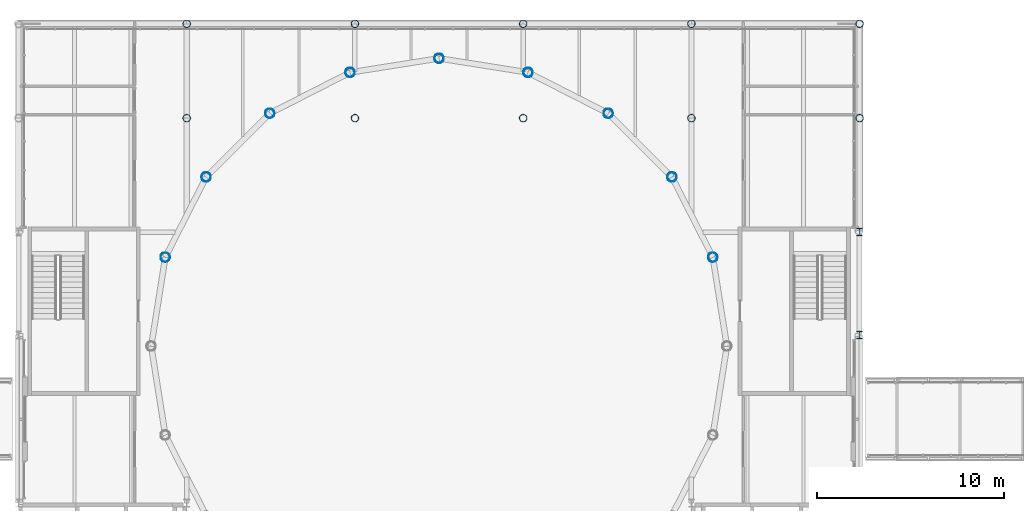
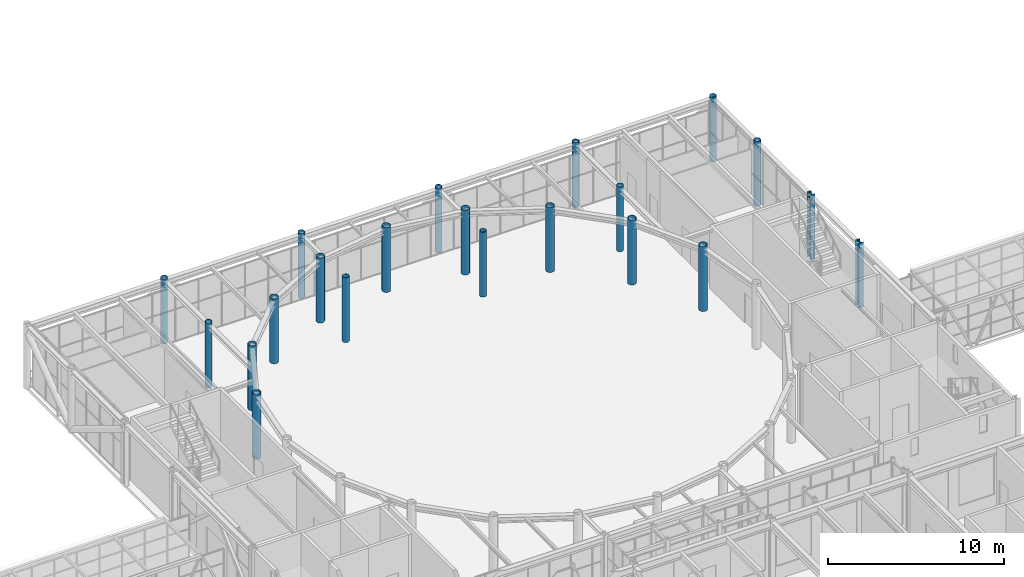
# One storey, part 12 of 149: 21 columns.
"""IFC4 building model written with IfcOpenShell, lengths in metres."""

from ifc_helpers import new_model, si_unit, direction, frame, origin, origin_2d, place, context, subcontext, project, spatial, hollow_circle, i_section, extrude, material, material_profile, profile_set, type_object, element, save


model = new_model("IFC4")

# Units and contexts
model_context = context("Model", 3, precision=1e-05, world=origin(), true_north=direction((0.0, 1.0)))
body_context = subcontext(model_context, "Body", "Model", "MODEL_VIEW")
ifc_project = project(units=[si_unit("LENGTHUNIT", "METRE"), si_unit("AREAUNIT", "SQUARE_METRE"), si_unit("VOLUMEUNIT", "CUBIC_METRE"), si_unit("PLANEANGLEUNIT", "RADIAN"), si_unit("MASSUNIT", "GRAM", prefix="KILO")], contexts=[model_context])

# Site, building, storey
site_placement = place(None, origin())
site = spatial("IfcSite", under=ifc_project, at=site_placement, CompositionType="ELEMENT")
building_placement = place(site_placement, origin())
building = spatial("IfcBuilding", under=site, at=building_placement, Name="Kallimachos Central Library", CompositionType="ELEMENT")
storey_placement = place(building_placement, frame((0.0, 0.0, 9.89990234375)))
storey = spatial("IfcBuildingStorey", under=building, at=storey_placement, Name="L02", CompositionType="ELEMENT", Elevation=9.89990234375)

# Columns
ifc_material_1 = material(Name="Steel S355J2H", Category="steel")
ifc_material_profile_1 = material_profile(ifc_material_1, hollow_circle(Radius=0.203125, WallThickness=0.01611328125, at=origin_2d()), Name="CHS 406.4x16")
ifc_profile_set_1 = profile_set([ifc_material_profile_1], Name="Steel S355J2H")
column_type_1 = type_object("IfcColumnType", Name="CHS 406.4x16 column", PredefinedType="COLUMN", material=ifc_profile_set_1)
for number, where, z_axis, x_axis, name in (
    (1, (74.5, 121.64990234375, 0.0), (0.0, 0.0, 1.0), (1.0, 0.0, 0.0), "V1-COL-L02-035"),
    (2, (83.5, 121.64990234375, 0.0), (0.0, 0.0, 1.0), (1.0, 0.0, 0.0), "V1-COL-L02-036"),
    (3, (92.5, 121.64990234375, 0.0), (0.0, 0.0, 1.0), (1.0, 0.0, 0.0), "V1-COL-L02-037"),
    (4, (101.5, 121.64990234375, 0.0), (0.0, 0.0, 1.0), (1.0, 0.0, 0.0), "V1-COL-L02-038"),
    (5, (110.5, 121.64990234375, 0.0), (0.0, 0.0, 1.0), (1.0, 0.0, 0.0), "V1-COL-L02-040"),
    (6, (74.5, 116.60009765625, 0.0), (0.0, 0.0, 1.0), (1.0, 0.0, 0.0), "V1-COL-L02-042"),
    (7, (83.5, 116.60009765625, 0.0), (0.0, 0.0, 1.0), (1.0, 0.0, 0.0), "V1-COL-L02-043"),
    (8, (92.5, 116.60009765625, 0.0), (0.0, 0.0, 1.0), (1.0, 0.0, 0.0), "V1-COL-L02-044"),
    (9, (101.5, 116.60009765625, 0.0), (0.0, 0.0, 1.0), (1.0, 0.0, 0.0), "V1-COL-L02-045"),
    (10, (110.5, 116.60009765625, 0.0), (0.0, 0.0, 1.0), (1.0, 0.0, 0.0), "V1-COL-L02-046"),
):
    element("IfcColumn", number, at=place(storey_placement, frame(where, z_axis=z_axis, x_axis=x_axis)), inside=storey, type_object=column_type_1, Name=name, PredefinedType="COLUMN", context=body_context, shape_type="SweptSolid", body=[
        extrude(hollow_circle(Radius=0.203125, WallThickness=0.01611328125, at=origin_2d()), origin(), (0.0, 0.0, 1.0), 4.5),
    ])
ifc_material_2 = material(Name="Steel S355J2H", Category="steel")
ifc_material_profile_2 = material_profile(ifc_material_2, hollow_circle(Radius=0.25390625, WallThickness=0.01611328125, at=origin_2d()), Name="CHS 508x16")
ifc_profile_set_2 = profile_set([ifc_material_profile_2], Name="Steel S355J2H")
column_type_2 = type_object("IfcColumnType", Name="CHS 508x16 column", PredefinedType="COLUMN", material=ifc_profile_set_2)
for number, where, z_axis, x_axis, name in (
    (11, (102.646240234375, 109.158935546875, 0.0), (0.0, 0.0, 1.0), (1.0, 0.0, 0.0), "V1-COL-L02-016"),
    (12, (100.458984375, 113.451904296875, 0.0), (0.0, 0.0, 1.0), (1.0, 0.0, 0.0), "V1-COL-L02-017"),
    (13, (97.052001953125, 116.85888671875, 0.0), (0.0, 0.0, 1.0), (1.0, 0.0, 0.0), "V1-COL-L02-018"),
    (14, (92.7587890625, 119.04638671875, 0.0), (0.0, 0.0, 1.0), (1.0, 0.0, 0.0), "V1-COL-L02-019"),
    (15, (88.0, 119.800048828125, 0.0), (0.0, 0.0, 1.0), (1.0, 0.0, 0.0), "V1-COL-L02-020"),
    (16, (83.2412109375, 119.04638671875, 0.0), (0.0, 0.0, 1.0), (1.0, 0.0, 0.0), "V1-COL-L02-021"),
    (17, (78.947998046875, 116.85888671875, 0.0), (0.0, 0.0, 1.0), (1.0, 0.0, 0.0), "V1-COL-L02-022"),
    (18, (75.541015625, 113.451904296875, 0.0), (0.0, 0.0, 1.0), (1.0, 0.0, 0.0), "V1-COL-L02-023"),
    (19, (73.353759765625, 109.158935546875, 0.0), (0.0, 0.0, 1.0), (1.0, 0.0, 0.0), "V1-COL-L02-024"),
):
    element("IfcColumn", number, at=place(storey_placement, frame(where, z_axis=z_axis, x_axis=x_axis)), inside=storey, type_object=column_type_2, Name=name, PredefinedType="COLUMN", context=body_context, shape_type="SweptSolid", body=[
        extrude(hollow_circle(Radius=0.25390625, WallThickness=0.01611328125, at=origin_2d()), origin(), (0.0, 0.0, 1.0), 4.5),
    ])
ifc_material_3 = material(Name="Steel S355J2", Category="steel")
ifc_material_profile_3 = material_profile(ifc_material_3, i_section(OverallWidth=0.300048828125, OverallDepth=0.39990234375, WebThickness=0.013427734375, FlangeThickness=0.02392578125, FilletRadius=0.027099609375, at=origin_2d()), Name="HEB 400")
ifc_profile_set_3 = profile_set([ifc_material_profile_3], Name="Steel S355J2")
column_type_3 = type_object("IfcColumnType", Name="HEB 400 column", PredefinedType="COLUMN", material=ifc_profile_set_3)
for number, where, z_axis, x_axis, name in (
    (20, (110.5, 105.0, 0.0), (0.0, 0.0, 1.0), (1.0, 0.0, 0.0), "V1-COL-L02-012"),
    (21, (110.5, 110.5, 0.0), (0.0, 0.0, 1.0), (1.0, 0.0, 0.0), "V1-COL-L02-014"),
):
    element("IfcColumn", number, at=place(storey_placement, frame(where, z_axis=z_axis, x_axis=x_axis)), inside=storey, type_object=column_type_3, Name=name, PredefinedType="COLUMN", context=body_context, shape_type="SweptSolid", body=[
        extrude(i_section(OverallWidth=0.300048828125, OverallDepth=0.39990234375, WebThickness=0.013427734375, FlangeThickness=0.02392578125, FilletRadius=0.027099609375, at=origin_2d()), origin(), (0.0, 0.0, 1.0), 4.5),
    ])

save(model, "model.ifc")
